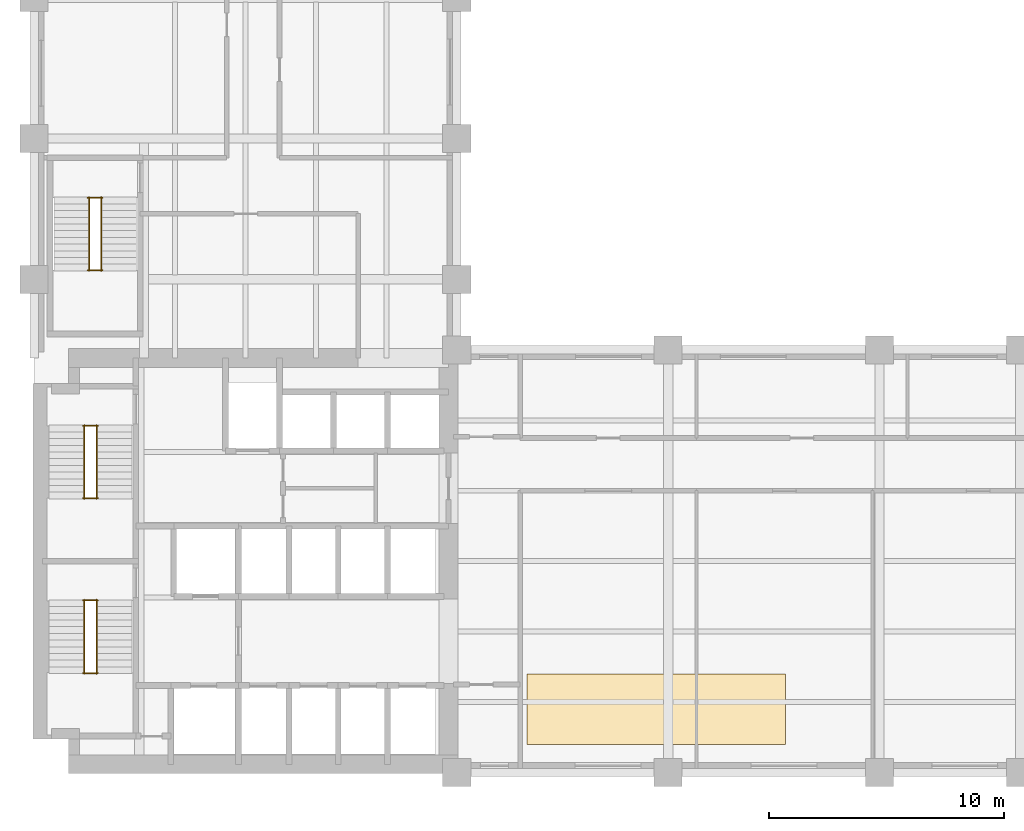
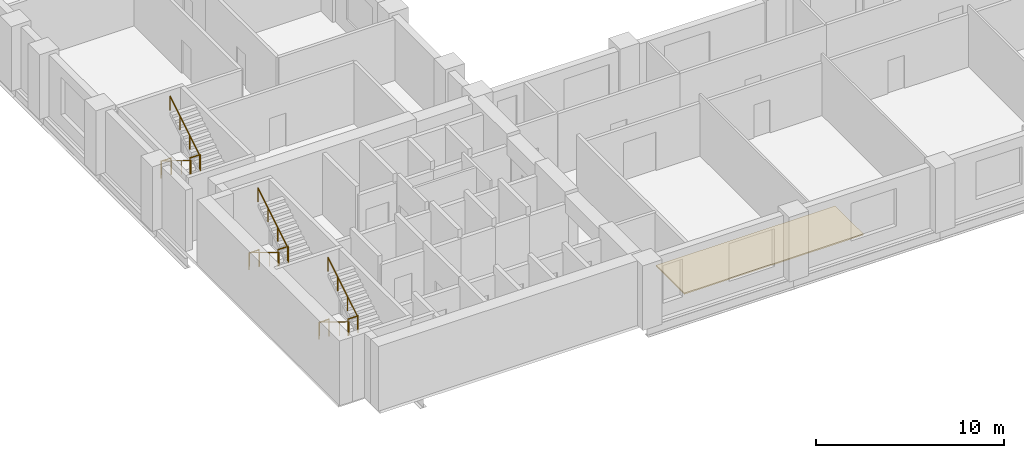
# One storey, part 7 of 7: 12 railings, 1 covering.
"""IFC4 building model written with IfcOpenShell, lengths in metres."""

from ifc_helpers import new_model, si_unit, direction, frame, origin, origin_2d, place, context, subcontext, project, spatial, polyline, circle, outline, extrude, material, layer, layer_set, type_object, element, save


model = new_model("IFC4")

# Units and contexts
model_context = context("Model", 3, precision=1e-05, world=origin(), true_north=direction((0.0, 1.0)))
body_context = subcontext(model_context, "Body", "Model", "MODEL_VIEW")
ifc_project = project(units=[si_unit("LENGTHUNIT", "METRE"), si_unit("AREAUNIT", "SQUARE_METRE"), si_unit("VOLUMEUNIT", "CUBIC_METRE"), si_unit("PLANEANGLEUNIT", "RADIAN"), si_unit("MASSUNIT", "GRAM", prefix="KILO")], contexts=[model_context])

# Site, building, storey
site_placement = place(None, origin())
site = spatial("IfcSite", under=ifc_project, at=site_placement, CompositionType="ELEMENT")
building_placement = place(site_placement, origin())
building = spatial("IfcBuilding", under=site, at=building_placement, Name="Mawjdan Bourse Tower", CompositionType="ELEMENT")
storey_placement = place(building_placement, frame((0.0, 0.0, 72.0)))
storey = spatial("IfcBuildingStorey", under=building, at=storey_placement, Name="L16", CompositionType="ELEMENT", Elevation=72.0)

# Covering
ifc_material_1 = material(Name="Calcium Sulphate Antistatic Raised Floor Tile")
ifc_layer = layer(ifc_material_1, 0.080078125)
ifc_layer_set = layer_set([ifc_layer], Name="Calcium Sulphate Antistatic Raised Floor Tile")
covering_type = type_object("IfcCoveringType", Name="COV-FLR-450", PredefinedType="FLOORING", material=ifc_layer_set)
covering_placement = place(storey_placement, origin())
element("IfcCovering", 1, at=covering_placement, inside=storey, type_object=covering_type, Name="L16 Antistatic Raised Access Trading Floor", PredefinedType="FLOORING", context=body_context, shape_type="SweptSolid", body=[
    extrude(outline(polyline([(27.0, 4.199951171875), (38.0, 4.199951171875), (38.0, 7.199951171875), (27.0, 7.199951171875), (27.0, 4.199951171875)])), origin(), (0.0, 0.0, 1.0), 0.080078125),
])

# Railings
ifc_material_2 = material(Name="Structural Steel S355", Category="steel")
railing_type_1 = type_object("IfcRailingType", Name="RLG-GRD-1100", PredefinedType="GUARDRAIL", material=ifc_material_2)
for number, where, name in (
    (2, (8.090087890625, 7.235107421875, 2.10009765625), "L16 ST1 Landing Guardrail GL-MID"),
    (3, (8.090087890625, 10.330078125, 0.0), "L16 ST1 Landing Guardrail GL-BOT"),
    (4, (8.090087890625, 14.675048828125, 2.10009765625), "L16 ST2 Landing Guardrail GL-MID"),
    (5, (8.090087890625, 17.77001953125, 0.0), "L16 ST2 Landing Guardrail GL-BOT"),
    (6, (8.2900390625, 24.385009765625, 2.10009765625), "L16 ST3 Landing Guardrail GL-MID"),
    (7, (8.2900390625, 27.47998046875, 0.0), "L16 ST3 Landing Guardrail GL-BOT"),
):
    element("IfcRailing", number, at=place(storey_placement, frame(where)), inside=storey, type_object=railing_type_1, Name=name, PredefinedType="GUARDRAIL", context=body_context, shape_type="SweptSolid", body=[
        extrude(circle(Radius=0.02490234375, at=origin_2d()), frame((0.0, 0.0, 1.0751953125), z_axis=(1.0, 0.0, 0.0), x_axis=(0.0, 1.0, 0.0)), (0.0, 0.0, 1.0), 0.619873046875),
        extrude(circle(Radius=0.02099609375, at=origin_2d()), origin(), (0.0, 0.0, 1.0), 1.050048828125),
        extrude(circle(Radius=0.02099609375, at=origin_2d()), frame((0.619873046875, 0.0, 0.0)), (0.0, 0.0, 1.0), 1.050048828125),
    ])
ifc_material_3 = material(Name="Brushed Stainless Steel", Category="steel")
railing_type_2 = type_object("IfcRailingType", Name="RLG-HND-920", PredefinedType="HANDRAIL", material=ifc_material_3)
railing_1_placement = place(storey_placement, frame((8.139892578125, 10.35009765625, 0.175048828125)))
element("IfcRailing", 8, at=railing_1_placement, inside=storey, type_object=railing_type_2, Name="L16 ST1 Flight Handrail HR1", PredefinedType="HANDRAIL", context=body_context, shape_type="SweptSolid", body=[
    extrude(circle(Radius=0.0224609375, at=origin_2d()), frame((0.0, 0.0, 0.8974609375), z_axis=(0.0, -0.852166034122, 0.523271488128), x_axis=(1.0, 0.0, 0.0)), (0.0, 0.0, 1.0), 3.678955078125),
    extrude(circle(Radius=0.01904296875, at=origin_2d()), origin(), (0.0, 0.0, 1.0), 0.875),
    extrude(circle(Radius=0.01904296875, at=origin_2d()), frame((0.0, -1.044921875, 0.6416015625)), (0.0, 0.0, 1.0), 0.875),
    extrude(circle(Radius=0.01904296875, at=origin_2d()), frame((0.0, -2.090087890625, 1.283447265625)), (0.0, 0.0, 1.0), 0.875),
    extrude(circle(Radius=0.01904296875, at=origin_2d()), frame((0.0, -3.135009765625, 1.925048828125)), (0.0, 0.0, 1.0), 0.875),
])
railing_2_placement = place(storey_placement, frame((8.659912109375, 7.215087890625, 2.27490234375)))
element("IfcRailing", 9, at=railing_2_placement, inside=storey, type_object=railing_type_2, Name="L16 ST1 Flight Handrail HR2", PredefinedType="HANDRAIL", context=body_context, shape_type="SweptSolid", body=[
    extrude(circle(Radius=0.0224609375, at=origin_2d()), frame((0.0, 0.0, 0.8974609375), z_axis=(0.0, 0.852166034122, 0.523271488128), x_axis=(-1.0, 0.0, 0.0)), (0.0, 0.0, 1.0), 3.678955078125),
    extrude(circle(Radius=0.01904296875, at=origin_2d()), origin(), (0.0, 0.0, 1.0), 0.875),
    extrude(circle(Radius=0.01904296875, at=origin_2d()), frame((0.0, 1.044921875, 0.6416015625)), (0.0, 0.0, 1.0), 0.875),
    extrude(circle(Radius=0.01904296875, at=origin_2d()), frame((0.0, 2.090087890625, 1.283447265625)), (0.0, 0.0, 1.0), 0.875),
    extrude(circle(Radius=0.01904296875, at=origin_2d()), frame((0.0, 3.135009765625, 1.925048828125)), (0.0, 0.0, 1.0), 0.875),
])
railing_3_placement = place(storey_placement, frame((8.139892578125, 17.7900390625, 0.175048828125)))
element("IfcRailing", 10, at=railing_3_placement, inside=storey, type_object=railing_type_2, Name="L16 ST2 Flight Handrail HR1", PredefinedType="HANDRAIL", context=body_context, shape_type="SweptSolid", body=[
    extrude(circle(Radius=0.0224609375, at=origin_2d()), frame((0.0, 0.0, 0.8974609375), z_axis=(0.0, -0.852166034122, 0.523271488128), x_axis=(1.0, 0.0, 0.0)), (0.0, 0.0, 1.0), 3.678955078125),
    extrude(circle(Radius=0.01904296875, at=origin_2d()), origin(), (0.0, 0.0, 1.0), 0.875),
    extrude(circle(Radius=0.01904296875, at=origin_2d()), frame((0.0, -1.044921875, 0.6416015625)), (0.0, 0.0, 1.0), 0.875),
    extrude(circle(Radius=0.01904296875, at=origin_2d()), frame((0.0, -2.090087890625, 1.283447265625)), (0.0, 0.0, 1.0), 0.875),
    extrude(circle(Radius=0.01904296875, at=origin_2d()), frame((0.0, -3.135009765625, 1.925048828125)), (0.0, 0.0, 1.0), 0.875),
])
railing_4_placement = place(storey_placement, frame((8.659912109375, 14.655029296875, 2.27490234375)))
element("IfcRailing", 11, at=railing_4_placement, inside=storey, type_object=railing_type_2, Name="L16 ST2 Flight Handrail HR2", PredefinedType="HANDRAIL", context=body_context, shape_type="SweptSolid", body=[
    extrude(circle(Radius=0.0224609375, at=origin_2d()), frame((0.0, 0.0, 0.8974609375), z_axis=(0.0, 0.852166034122, 0.523271488128), x_axis=(-1.0, 0.0, 0.0)), (0.0, 0.0, 1.0), 3.678955078125),
    extrude(circle(Radius=0.01904296875, at=origin_2d()), origin(), (0.0, 0.0, 1.0), 0.875),
    extrude(circle(Radius=0.01904296875, at=origin_2d()), frame((0.0, 1.044921875, 0.6416015625)), (0.0, 0.0, 1.0), 0.875),
    extrude(circle(Radius=0.01904296875, at=origin_2d()), frame((0.0, 2.090087890625, 1.283447265625)), (0.0, 0.0, 1.0), 0.875),
    extrude(circle(Radius=0.01904296875, at=origin_2d()), frame((0.0, 3.135009765625, 1.925048828125)), (0.0, 0.0, 1.0), 0.875),
])
railing_5_placement = place(storey_placement, frame((8.340087890625, 27.5, 0.175048828125)))
element("IfcRailing", 12, at=railing_5_placement, inside=storey, type_object=railing_type_2, Name="L16 ST3 Flight Handrail HR1", PredefinedType="HANDRAIL", context=body_context, shape_type="SweptSolid", body=[
    extrude(circle(Radius=0.0224609375, at=origin_2d()), frame((0.0, 0.0, 0.8974609375), z_axis=(0.0, -0.852166034122, 0.523271488128), x_axis=(1.0, 0.0, 0.0)), (0.0, 0.0, 1.0), 3.678955078125),
    extrude(circle(Radius=0.01904296875, at=origin_2d()), origin(), (0.0, 0.0, 1.0), 0.875),
    extrude(circle(Radius=0.01904296875, at=origin_2d()), frame((0.0, -1.044921875, 0.6416015625)), (0.0, 0.0, 1.0), 0.875),
    extrude(circle(Radius=0.01904296875, at=origin_2d()), frame((0.0, -2.090087890625, 1.283447265625)), (0.0, 0.0, 1.0), 0.875),
    extrude(circle(Radius=0.01904296875, at=origin_2d()), frame((0.0, -3.135009765625, 1.925048828125)), (0.0, 0.0, 1.0), 0.875),
])
railing_6_placement = place(storey_placement, frame((8.860107421875, 24.364990234375, 2.27490234375)))
element("IfcRailing", 13, at=railing_6_placement, inside=storey, type_object=railing_type_2, Name="L16 ST3 Flight Handrail HR2", PredefinedType="HANDRAIL", context=body_context, shape_type="SweptSolid", body=[
    extrude(circle(Radius=0.0224609375, at=origin_2d()), frame((0.0, 0.0, 0.8974609375), z_axis=(0.0, 0.852166034122, 0.523271488128), x_axis=(-1.0, 0.0, 0.0)), (0.0, 0.0, 1.0), 3.678955078125),
    extrude(circle(Radius=0.01904296875, at=origin_2d()), origin(), (0.0, 0.0, 1.0), 0.875),
    extrude(circle(Radius=0.01904296875, at=origin_2d()), frame((0.0, 1.044921875, 0.6416015625)), (0.0, 0.0, 1.0), 0.875),
    extrude(circle(Radius=0.01904296875, at=origin_2d()), frame((0.0, 2.090087890625, 1.283447265625)), (0.0, 0.0, 1.0), 0.875),
    extrude(circle(Radius=0.01904296875, at=origin_2d()), frame((0.0, 3.135009765625, 1.925048828125)), (0.0, 0.0, 1.0), 0.875),
])

save(model, "model.ifc")
